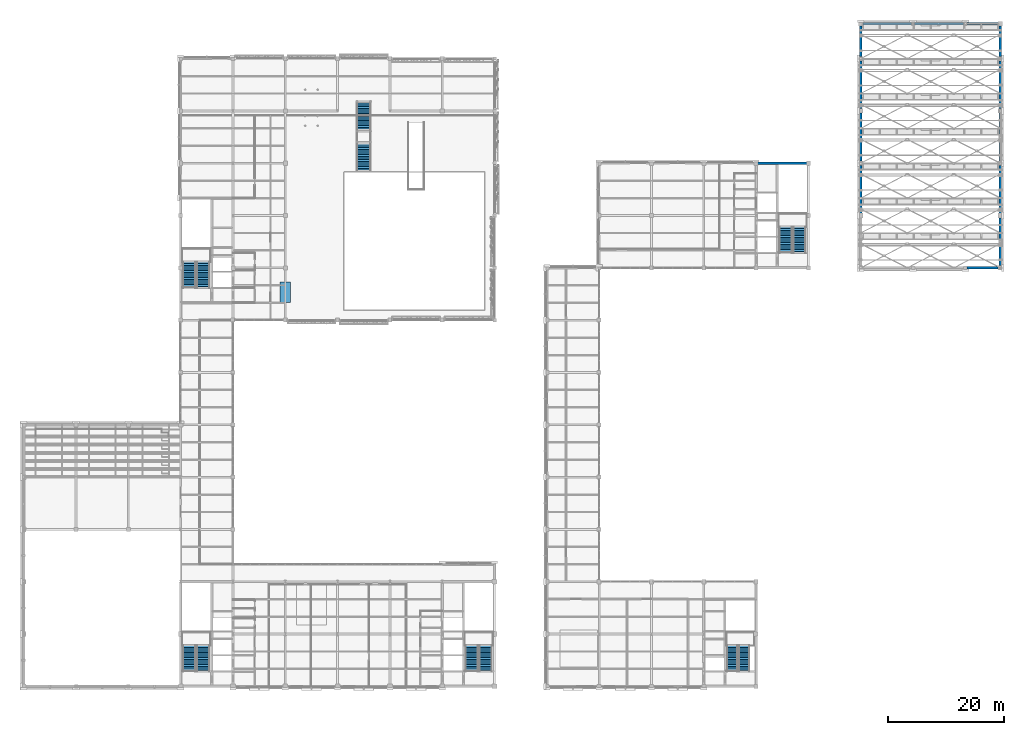
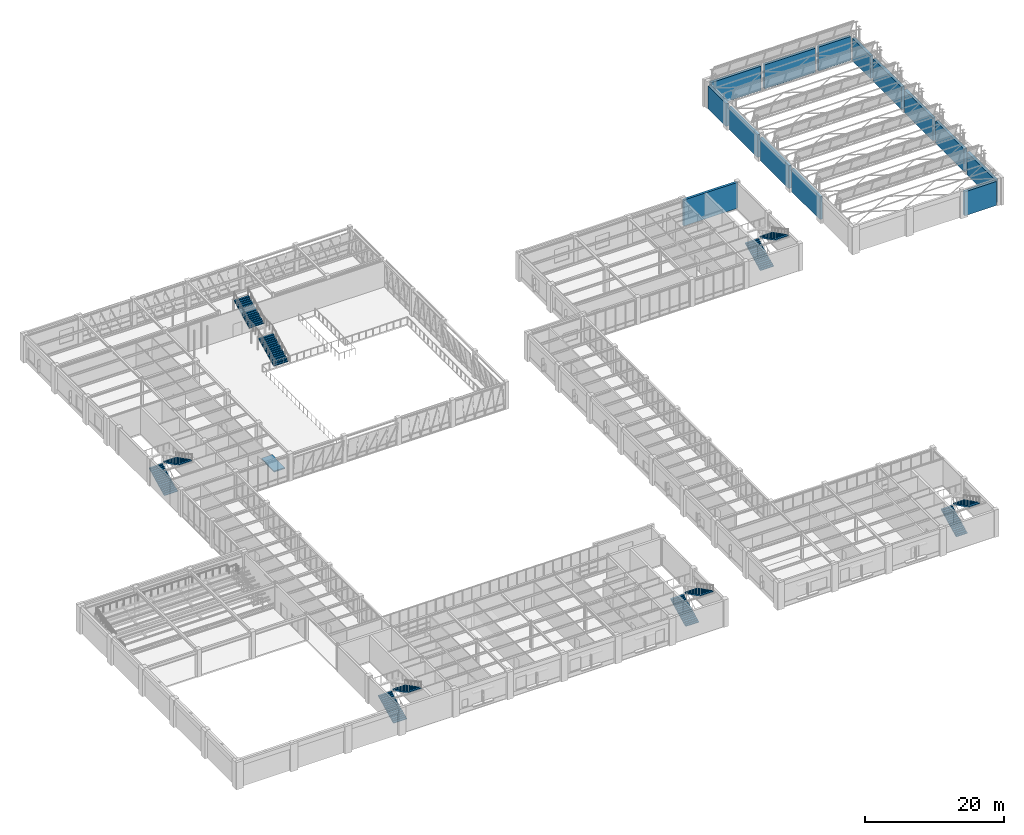
# One storey, part 86 of 98: 14 walls, 12 stair flights, 1 ramp flight, 7 elements without a shape of their own.
"""IFC4 building model written with IfcOpenShell, lengths in metres."""

from ifc_helpers import new_model, si_unit, direction, frame, frame_2d, origin, place, context, subcontext, project, spatial, polyline, rectangle, outline, extrude, material, layer, layer_set, type_object, element, aggregate, save


model = new_model("IFC4")

# Units and contexts
model_context = context("Model", 3, precision=1e-05, world=origin(), true_north=direction((0.0, 1.0)))
body_context = subcontext(model_context, "Body", "Model", "MODEL_VIEW")
ifc_project = project(units=[si_unit("LENGTHUNIT", "METRE"), si_unit("AREAUNIT", "SQUARE_METRE"), si_unit("VOLUMEUNIT", "CUBIC_METRE"), si_unit("PLANEANGLEUNIT", "RADIAN"), si_unit("MASSUNIT", "GRAM", prefix="KILO")], contexts=[model_context])

# Site, building, storey
site_placement = place(None, origin())
site = spatial("IfcSite", under=ifc_project, at=site_placement, CompositionType="ELEMENT")
building_placement = place(site_placement, origin())
building = spatial("IfcBuilding", under=site, at=building_placement, Name="Lykobir Media Centre", CompositionType="ELEMENT")
storey_placement = place(building_placement, frame((0.0, 0.0, 10.199951171875)))
storey = spatial("IfcBuildingStorey", under=building, at=storey_placement, Name="L02", CompositionType="ELEMENT", Elevation=10.199951171875)

# Walls
ifc_material_1 = material(Name="Concrete C35/45", Category="concrete")
ifc_layer_1 = layer(ifc_material_1, 0.4599609375, Name="Concrete C35/45")
ifc_layer_set_1 = layer_set([ifc_layer_1], Name="Concrete C35/45")
wall_type_1 = type_object("IfcWallType", Name="EW-ACO-460", PredefinedType="STANDARD", material=ifc_layer_set_1)
for number, where, z_axis, x_axis, name in (
    (1, (144.0, 89.614990234375, 0.0), (0.0, 0.0, 1.0), (0.0, -1.0, 0.0), "Exterior wall WALL-L02-0214"),
    (2, (144.0, 98.614990234375, 0.0), (0.0, 0.0, 1.0), (0.0, -1.0, 0.0), "Exterior wall WALL-L02-0215"),
    (3, (144.0, 107.614990234375, 0.0), (0.0, 0.0, 1.0), (0.0, -1.0, 0.0), "Exterior wall WALL-L02-0216"),
):
    element("IfcWall", number, at=place(storey_placement, frame(where, z_axis=z_axis, x_axis=x_axis)), inside=storey, type_object=wall_type_1, Name=name, PredefinedType="STANDARD", context=body_context, shape_type="SweptSolid", body=[
        extrude(rectangle(XDim=8.22998046875, YDim=0.4599609375, at=frame_2d((4.114990234375, 0.0))), origin(), (0.0, 0.0, 1.0), 3.985107421875),
    ])
wall_1_placement = place(storey_placement, frame((144.0, 113.614990234375, 0.0), z_axis=(0.0, 0.0, 1.0), x_axis=(0.0, -1.0, 0.0)))
element("IfcWall", 4, at=wall_1_placement, inside=storey, type_object=wall_type_1, Name="Exterior wall WALL-L02-0217", PredefinedType="STANDARD", context=body_context, shape_type="SweptSolid", body=[
    extrude(rectangle(XDim=5.22998046875, YDim=0.4599609375, at=frame_2d((2.614990234375, 0.0))), origin(), (0.0, 0.0, 1.0), 3.985107421875),
])
wall_2_placement = place(storey_placement, frame((162.284912109375, 72.0, 0.0), z_axis=(0.0, 0.0, 1.0), x_axis=(1.0, 0.0, 0.0)))
element("IfcWall", 5, at=wall_2_placement, inside=storey, type_object=wall_type_1, Name="Exterior wall WALL-L02-0220", PredefinedType="STANDARD", context=body_context, shape_type="SweptSolid", body=[
    extrude(rectangle(XDim=5.330078125, YDim=0.4599609375, at=frame_2d((2.6650390625, 0.0))), origin(), (0.0, 0.0, 1.0), 4.22509765625),
])
for number, where, z_axis, x_axis, name in (
    (6, (168.0, 72.385009765625, 0.0), (0.0, 0.0, 1.0), (0.0, 1.0, 0.0), "Exterior wall WALL-L02-0221"),
    (7, (168.0, 81.385009765625, 0.0), (0.0, 0.0, 1.0), (0.0, 1.0, 0.0), "Exterior wall WALL-L02-0222"),
    (8, (168.0, 90.385009765625, 0.0), (0.0, 0.0, 1.0), (0.0, 1.0, 0.0), "Exterior wall WALL-L02-0223"),
    (9, (168.0, 99.385009765625, 0.0), (0.0, 0.0, 1.0), (0.0, 1.0, 0.0), "Exterior wall WALL-L02-0224"),
):
    element("IfcWall", number, at=place(storey_placement, frame(where, z_axis=z_axis, x_axis=x_axis)), inside=storey, type_object=wall_type_1, Name=name, PredefinedType="STANDARD", context=body_context, shape_type="SweptSolid", body=[
        extrude(rectangle(XDim=8.22998046875, YDim=0.4599609375, at=frame_2d((4.114990234375, 0.0))), origin(), (0.0, 0.0, 1.0), 3.985107421875),
    ])
wall_3_placement = place(storey_placement, frame((168.0, 108.385009765625, 0.0), z_axis=(0.0, 0.0, 1.0), x_axis=(0.0, 1.0, 0.0)))
element("IfcWall", 10, at=wall_3_placement, inside=storey, type_object=wall_type_1, Name="Exterior wall WALL-L02-0225", PredefinedType="STANDARD", context=body_context, shape_type="SweptSolid", body=[
    extrude(rectangle(XDim=5.22998046875, YDim=0.4599609375, at=frame_2d((2.614990234375, 0.0))), origin(), (0.0, 0.0, 1.0), 3.985107421875),
])
wall_4_placement = place(storey_placement, frame((152.715087890625, 114.0, 0.0), z_axis=(0.0, 0.0, 1.0), x_axis=(-1.0, 0.0, 0.0)))
element("IfcWall", 11, at=wall_4_placement, inside=storey, type_object=wall_type_1, Name="Exterior wall WALL-L02-0226", PredefinedType="STANDARD", context=body_context, shape_type="SweptSolid", body=[
    extrude(rectangle(XDim=8.330078125, YDim=0.4599609375, at=frame_2d((4.1650390625, 0.0))), origin(), (0.0, 0.0, 1.0), 4.22509765625),
])
wall_5_placement = place(storey_placement, frame((161.715087890625, 114.0, 0.0), z_axis=(0.0, 0.0, 1.0), x_axis=(-1.0, 0.0, 0.0)))
element("IfcWall", 12, at=wall_5_placement, inside=storey, type_object=wall_type_1, Name="Exterior wall WALL-L02-0227", PredefinedType="STANDARD", context=body_context, shape_type="SweptSolid", body=[
    extrude(rectangle(XDim=8.43017578125, YDim=0.4599609375, at=frame_2d((4.215087890625, 0.0))), origin(), (0.0, 0.0, 1.0), 4.22509765625),
])
wall_6_placement = place(storey_placement, frame((167.614990234375, 114.0, 0.0), z_axis=(0.0, 0.0, 1.0), x_axis=(-1.0, 0.0, 0.0)))
element("IfcWall", 13, at=wall_6_placement, inside=storey, type_object=wall_type_1, Name="Exterior wall WALL-L02-0228", PredefinedType="STANDARD", context=body_context, shape_type="SweptSolid", body=[
    extrude(rectangle(XDim=5.330078125, YDim=0.4599609375, at=frame_2d((2.6650390625, 0.0))), origin(), (0.0, 0.0, 1.0), 4.22509765625),
])
ifc_material_2 = material(Name="Concrete C40/50", Category="concrete")
ifc_layer_2 = layer(ifc_material_2, 0.39990234375, Name="Concrete C40/50")
ifc_layer_set_2 = layer_set([ifc_layer_2], Name="Concrete C40/50")
wall_type_2 = type_object("IfcWallType", Name="SW-CORE-400-E", PredefinedType="SHEAR", material=ifc_layer_set_2)
wall_7_placement = place(storey_placement, frame((135.0, 90.0, 0.0), z_axis=(0.0, 0.0, 1.0), x_axis=(-1.0, 0.0, 0.0)))
element("IfcWall", 14, at=wall_7_placement, inside=storey, type_object=wall_type_2, Name="Wall IWALL-L02-0508", PredefinedType="SHEAR", context=body_context, shape_type="SweptSolid", body=[
    extrude(rectangle(XDim=9.0, YDim=0.39990234375, at=frame_2d((4.5, 0.0))), origin(), (0.0, 0.0, 1.0), 4.56005859375),
])

# Stair, stair flights
ifc_material_3 = material(Name="Concrete C30/37", Category="concrete")
stair_type_1 = type_object("IfcStairType", Name="ST-AUX-480", PredefinedType="HALF_TURN_STAIR", material=ifc_material_3)
stair_1_placement = place(storey_placement, origin())
stair_1 = element("IfcStair", 15, at=stair_1_placement, inside=storey, type_object=stair_type_1, Name="Escape stair ST-5 L02", PredefinedType="HALF_TURN_STAIR")
ifc_layer_3 = layer(ifc_material_3, 0.159912109375, Name="Concrete C30/37")
ifc_layer_set_3 = layer_set([ifc_layer_3], Name="Concrete C30/37")
stair_flight_type_1 = type_object("IfcStairFlightType", Name="FL-185-16", PredefinedType="STRAIGHT", material=ifc_layer_set_3)
stair_flight_1_placement = place(storey_placement, frame((121.89501953125, 2.530029296875, 0.0), z_axis=(0.0, 0.0, 1.0), x_axis=(0.0, 1.0, 0.0)))
stair_flight_1 = element("IfcStairFlight", 16, at=stair_flight_1_placement, type_object=stair_flight_type_1, Name="ST-5-L02 flight 1", NumberOfRisers=16, NumberOfTreads=15, PredefinedType="STRAIGHT", RiserHeight=0.15, TreadLength=0.3, context=body_context, shape_type="SweptSolid", body=[
    extrude(outline(polyline([(0.0, 0.0), (0.0, 0.14990234375), (0.300048828125, 0.14990234375), (0.300048828125, 0.300048828125), (0.60009765625, 0.300048828125), (0.60009765625, 0.449951171875), (0.89990234375, 0.449951171875), (0.89990234375, 0.60009765625), (1.199951171875, 0.60009765625), (1.199951171875, 0.75), (1.5, 0.75), (1.5, 0.89990234375), (1.800048828125, 0.89990234375), (1.800048828125, 1.050048828125), (2.10009765625, 1.050048828125), (2.10009765625, 1.199951171875), (2.39990234375, 1.199951171875), (2.39990234375, 1.35009765625), (2.699951171875, 1.35009765625), (2.699951171875, 1.5), (3.0, 1.5), (3.0, 1.64990234375), (3.300048828125, 1.64990234375), (3.300048828125, 1.800048828125), (3.60009765625, 1.800048828125), (3.60009765625, 1.949951171875), (3.89990234375, 1.949951171875), (3.89990234375, 2.10009765625), (4.199951171875, 2.10009765625), (4.199951171875, 2.25), (4.5, 2.25), (4.5, 2.39990234375), (4.5, 2.0712890625), (0.357666015625, 0.0), (0.0, 0.0)])), frame((0.0, 0.925048828125, 0.0), z_axis=(0.0, -1.0, 0.0), x_axis=(1.0, 0.0, 0.0)), (0.0, 0.0, 1.0), 1.85009765625),
])
stair_flight_2_placement = place(storey_placement, frame((123.945068359375, 7.030029296875, 2.400146484375), z_axis=(0.0, 0.0, 1.0), x_axis=(0.0, -1.0, 0.0)))
stair_flight_2 = element("IfcStairFlight", 17, at=stair_flight_2_placement, type_object=stair_flight_type_1, Name="ST-5-L02 flight 2", NumberOfRisers=16, NumberOfTreads=15, PredefinedType="STRAIGHT", RiserHeight=0.15, TreadLength=0.3, context=body_context, shape_type="SweptSolid", body=[
    extrude(outline(polyline([(0.0, 0.0), (0.0, 0.14990234375), (0.300048828125, 0.14990234375), (0.300048828125, 0.300048828125), (0.60009765625, 0.300048828125), (0.60009765625, 0.449951171875), (0.89990234375, 0.449951171875), (0.89990234375, 0.60009765625), (1.199951171875, 0.60009765625), (1.199951171875, 0.75), (1.5, 0.75), (1.5, 0.89990234375), (1.800048828125, 0.89990234375), (1.800048828125, 1.050048828125), (2.10009765625, 1.050048828125), (2.10009765625, 1.199951171875), (2.39990234375, 1.199951171875), (2.39990234375, 1.35009765625), (2.699951171875, 1.35009765625), (2.699951171875, 1.5), (3.0, 1.5), (3.0, 1.64990234375), (3.300048828125, 1.64990234375), (3.300048828125, 1.800048828125), (3.60009765625, 1.800048828125), (3.60009765625, 1.949951171875), (3.89990234375, 1.949951171875), (3.89990234375, 2.10009765625), (4.199951171875, 2.10009765625), (4.199951171875, 2.25), (4.5, 2.25), (4.5, 2.39990234375), (4.5, 2.0712890625), (0.357666015625, 0.0), (0.0, 0.0)])), frame((0.0, 0.925048828125, 0.0), z_axis=(0.0, -1.0, 0.0), x_axis=(1.0, 0.0, 0.0)), (0.0, 0.0, 1.0), 1.85009765625),
])
aggregate(stair_1, [stair_flight_1, stair_flight_2])

stair_type_2 = type_object("IfcStairType", Name="ST-HT-480", PredefinedType="HALF_TURN_STAIR", material=ifc_material_3)
stair_2_placement = place(storey_placement, origin())
stair_2 = element("IfcStair", 18, at=stair_2_placement, inside=storey, type_object=stair_type_2, Name="Escape stair ST-1 L02", PredefinedType="HALF_TURN_STAIR")
ifc_layer_4 = layer(ifc_material_3, 0.159912109375, Name="Concrete C30/37")
ifc_layer_set_4 = layer_set([ifc_layer_4], Name="Concrete C30/37")
stair_flight_type_2 = type_object("IfcStairFlightType", Name="FL-220-16", PredefinedType="STRAIGHT", material=ifc_layer_set_4)
stair_flight_3_placement = place(storey_placement, frame((28.469970703125, 2.530029296875, 0.0), z_axis=(0.0, 0.0, 1.0), x_axis=(0.0, 1.0, 0.0)))
stair_flight_3 = element("IfcStairFlight", 19, at=stair_flight_3_placement, type_object=stair_flight_type_2, Name="ST-1-L02 flight 1", NumberOfRisers=16, NumberOfTreads=15, PredefinedType="STRAIGHT", RiserHeight=0.15, TreadLength=0.3, context=body_context, shape_type="SweptSolid", body=[
    extrude(outline(polyline([(0.0, 0.0), (0.0, 0.14990234375), (0.300048828125, 0.14990234375), (0.300048828125, 0.300048828125), (0.60009765625, 0.300048828125), (0.60009765625, 0.449951171875), (0.89990234375, 0.449951171875), (0.89990234375, 0.60009765625), (1.199951171875, 0.60009765625), (1.199951171875, 0.75), (1.5, 0.75), (1.5, 0.89990234375), (1.800048828125, 0.89990234375), (1.800048828125, 1.050048828125), (2.10009765625, 1.050048828125), (2.10009765625, 1.199951171875), (2.39990234375, 1.199951171875), (2.39990234375, 1.35009765625), (2.699951171875, 1.35009765625), (2.699951171875, 1.5), (3.0, 1.5), (3.0, 1.64990234375), (3.300048828125, 1.64990234375), (3.300048828125, 1.800048828125), (3.60009765625, 1.800048828125), (3.60009765625, 1.949951171875), (3.89990234375, 1.949951171875), (3.89990234375, 2.10009765625), (4.199951171875, 2.10009765625), (4.199951171875, 2.25), (4.5, 2.25), (4.5, 2.39990234375), (4.5, 2.0712890625), (0.357666015625, 0.0), (0.0, 0.0)])), frame((0.0, 1.10009765625, 0.0), z_axis=(0.0, -1.0, 0.0), x_axis=(1.0, 0.0, 0.0)), (0.0, 0.0, 1.0), 2.199951171875),
])
stair_flight_4_placement = place(storey_placement, frame((30.8701171875, 7.030029296875, 2.400146484375), z_axis=(0.0, 0.0, 1.0), x_axis=(0.0, -1.0, 0.0)))
stair_flight_4 = element("IfcStairFlight", 20, at=stair_flight_4_placement, type_object=stair_flight_type_2, Name="ST-1-L02 flight 2", NumberOfRisers=16, NumberOfTreads=15, PredefinedType="STRAIGHT", RiserHeight=0.15, TreadLength=0.3, context=body_context, shape_type="SweptSolid", body=[
    extrude(outline(polyline([(0.0, 0.0), (0.0, 0.14990234375), (0.300048828125, 0.14990234375), (0.300048828125, 0.300048828125), (0.60009765625, 0.300048828125), (0.60009765625, 0.449951171875), (0.89990234375, 0.449951171875), (0.89990234375, 0.60009765625), (1.199951171875, 0.60009765625), (1.199951171875, 0.75), (1.5, 0.75), (1.5, 0.89990234375), (1.800048828125, 0.89990234375), (1.800048828125, 1.050048828125), (2.10009765625, 1.050048828125), (2.10009765625, 1.199951171875), (2.39990234375, 1.199951171875), (2.39990234375, 1.35009765625), (2.699951171875, 1.35009765625), (2.699951171875, 1.5), (3.0, 1.5), (3.0, 1.64990234375), (3.300048828125, 1.64990234375), (3.300048828125, 1.800048828125), (3.60009765625, 1.800048828125), (3.60009765625, 1.949951171875), (3.89990234375, 1.949951171875), (3.89990234375, 2.10009765625), (4.199951171875, 2.10009765625), (4.199951171875, 2.25), (4.5, 2.25), (4.5, 2.39990234375), (4.5, 2.0712890625), (0.357666015625, 0.0), (0.0, 0.0)])), frame((0.0, 1.10009765625, 0.0), z_axis=(0.0, -1.0, 0.0), x_axis=(1.0, 0.0, 0.0)), (0.0, 0.0, 1.0), 2.199951171875),
])
aggregate(stair_2, [stair_flight_3, stair_flight_4])

stair_3_placement = place(storey_placement, origin())
stair_3 = element("IfcStair", 21, at=stair_3_placement, inside=storey, type_object=stair_type_2, Name="Escape stair ST-2 L02", PredefinedType="HALF_TURN_STAIR")
stair_flight_5_placement = place(storey_placement, frame((77.070068359375, 2.530029296875, 0.0), z_axis=(0.0, 0.0, 1.0), x_axis=(0.0, 1.0, 0.0)))
stair_flight_5 = element("IfcStairFlight", 22, at=stair_flight_5_placement, type_object=stair_flight_type_2, Name="ST-2-L02 flight 1", NumberOfRisers=16, NumberOfTreads=15, PredefinedType="STRAIGHT", RiserHeight=0.15, TreadLength=0.3, context=body_context, shape_type="SweptSolid", body=[
    extrude(outline(polyline([(0.0, 0.0), (0.0, 0.14990234375), (0.300048828125, 0.14990234375), (0.300048828125, 0.300048828125), (0.60009765625, 0.300048828125), (0.60009765625, 0.449951171875), (0.89990234375, 0.449951171875), (0.89990234375, 0.60009765625), (1.199951171875, 0.60009765625), (1.199951171875, 0.75), (1.5, 0.75), (1.5, 0.89990234375), (1.800048828125, 0.89990234375), (1.800048828125, 1.050048828125), (2.10009765625, 1.050048828125), (2.10009765625, 1.199951171875), (2.39990234375, 1.199951171875), (2.39990234375, 1.35009765625), (2.699951171875, 1.35009765625), (2.699951171875, 1.5), (3.0, 1.5), (3.0, 1.64990234375), (3.300048828125, 1.64990234375), (3.300048828125, 1.800048828125), (3.60009765625, 1.800048828125), (3.60009765625, 1.949951171875), (3.89990234375, 1.949951171875), (3.89990234375, 2.10009765625), (4.199951171875, 2.10009765625), (4.199951171875, 2.25), (4.5, 2.25), (4.5, 2.39990234375), (4.5, 2.0712890625), (0.357666015625, 0.0), (0.0, 0.0)])), frame((0.0, 1.10009765625, 0.0), z_axis=(0.0, -1.0, 0.0), x_axis=(1.0, 0.0, 0.0)), (0.0, 0.0, 1.0), 2.199951171875),
])
stair_flight_6_placement = place(storey_placement, frame((79.469970703125, 7.030029296875, 2.400146484375), z_axis=(0.0, 0.0, 1.0), x_axis=(0.0, -1.0, 0.0)))
stair_flight_6 = element("IfcStairFlight", 23, at=stair_flight_6_placement, type_object=stair_flight_type_2, Name="ST-2-L02 flight 2", NumberOfRisers=16, NumberOfTreads=15, PredefinedType="STRAIGHT", RiserHeight=0.15, TreadLength=0.3, context=body_context, shape_type="SweptSolid", body=[
    extrude(outline(polyline([(0.0, 0.0), (0.0, 0.14990234375), (0.300048828125, 0.14990234375), (0.300048828125, 0.300048828125), (0.60009765625, 0.300048828125), (0.60009765625, 0.449951171875), (0.89990234375, 0.449951171875), (0.89990234375, 0.60009765625), (1.199951171875, 0.60009765625), (1.199951171875, 0.75), (1.5, 0.75), (1.5, 0.89990234375), (1.800048828125, 0.89990234375), (1.800048828125, 1.050048828125), (2.10009765625, 1.050048828125), (2.10009765625, 1.199951171875), (2.39990234375, 1.199951171875), (2.39990234375, 1.35009765625), (2.699951171875, 1.35009765625), (2.699951171875, 1.5), (3.0, 1.5), (3.0, 1.64990234375), (3.300048828125, 1.64990234375), (3.300048828125, 1.800048828125), (3.60009765625, 1.800048828125), (3.60009765625, 1.949951171875), (3.89990234375, 1.949951171875), (3.89990234375, 2.10009765625), (4.199951171875, 2.10009765625), (4.199951171875, 2.25), (4.5, 2.25), (4.5, 2.39990234375), (4.5, 2.0712890625), (0.357666015625, 0.0), (0.0, 0.0)])), frame((0.0, 1.10009765625, 0.0), z_axis=(0.0, -1.0, 0.0), x_axis=(1.0, 0.0, 0.0)), (0.0, 0.0, 1.0), 2.199951171875),
])
aggregate(stair_3, [stair_flight_5, stair_flight_6])

stair_4_placement = place(storey_placement, origin())
stair_4 = element("IfcStair", 24, at=stair_4_placement, inside=storey, type_object=stair_type_2, Name="Escape stair ST-3 L02", PredefinedType="HALF_TURN_STAIR")
stair_flight_7_placement = place(storey_placement, frame((28.469970703125, 68.530029296875, 0.0), z_axis=(0.0, 0.0, 1.0), x_axis=(0.0, 1.0, 0.0)))
stair_flight_7 = element("IfcStairFlight", 25, at=stair_flight_7_placement, type_object=stair_flight_type_2, Name="ST-3-L02 flight 1", NumberOfRisers=16, NumberOfTreads=15, PredefinedType="STRAIGHT", RiserHeight=0.15, TreadLength=0.3, context=body_context, shape_type="SweptSolid", body=[
    extrude(outline(polyline([(0.0, 0.0), (0.0, 0.14990234375), (0.300048828125, 0.14990234375), (0.300048828125, 0.300048828125), (0.60009765625, 0.300048828125), (0.60009765625, 0.449951171875), (0.89990234375, 0.449951171875), (0.89990234375, 0.60009765625), (1.199951171875, 0.60009765625), (1.199951171875, 0.75), (1.5, 0.75), (1.5, 0.89990234375), (1.800048828125, 0.89990234375), (1.800048828125, 1.050048828125), (2.10009765625, 1.050048828125), (2.10009765625, 1.199951171875), (2.39990234375, 1.199951171875), (2.39990234375, 1.35009765625), (2.699951171875, 1.35009765625), (2.699951171875, 1.5), (3.0, 1.5), (3.0, 1.64990234375), (3.300048828125, 1.64990234375), (3.300048828125, 1.800048828125), (3.60009765625, 1.800048828125), (3.60009765625, 1.949951171875), (3.89990234375, 1.949951171875), (3.89990234375, 2.10009765625), (4.199951171875, 2.10009765625), (4.199951171875, 2.25), (4.5, 2.25), (4.5, 2.39990234375), (4.5, 2.0712890625), (0.357666015625, 0.0), (0.0, 0.0)])), frame((0.0, 1.10009765625, 0.0), z_axis=(0.0, -1.0, 0.0), x_axis=(1.0, 0.0, 0.0)), (0.0, 0.0, 1.0), 2.199951171875),
])
stair_flight_8_placement = place(storey_placement, frame((30.8701171875, 73.030029296875, 2.400146484375), z_axis=(0.0, 0.0, 1.0), x_axis=(0.0, -1.0, 0.0)))
stair_flight_8 = element("IfcStairFlight", 26, at=stair_flight_8_placement, type_object=stair_flight_type_2, Name="ST-3-L02 flight 2", NumberOfRisers=16, NumberOfTreads=15, PredefinedType="STRAIGHT", RiserHeight=0.15, TreadLength=0.3, context=body_context, shape_type="SweptSolid", body=[
    extrude(outline(polyline([(0.0, 0.0), (0.0, 0.14990234375), (0.300048828125, 0.14990234375), (0.300048828125, 0.300048828125), (0.60009765625, 0.300048828125), (0.60009765625, 0.449951171875), (0.89990234375, 0.449951171875), (0.89990234375, 0.60009765625), (1.199951171875, 0.60009765625), (1.199951171875, 0.75), (1.5, 0.75), (1.5, 0.89990234375), (1.800048828125, 0.89990234375), (1.800048828125, 1.050048828125), (2.10009765625, 1.050048828125), (2.10009765625, 1.199951171875), (2.39990234375, 1.199951171875), (2.39990234375, 1.35009765625), (2.699951171875, 1.35009765625), (2.699951171875, 1.5), (3.0, 1.5), (3.0, 1.64990234375), (3.300048828125, 1.64990234375), (3.300048828125, 1.800048828125), (3.60009765625, 1.800048828125), (3.60009765625, 1.949951171875), (3.89990234375, 1.949951171875), (3.89990234375, 2.10009765625), (4.199951171875, 2.10009765625), (4.199951171875, 2.25), (4.5, 2.25), (4.5, 2.39990234375), (4.5, 2.0712890625), (0.357666015625, 0.0), (0.0, 0.0)])), frame((0.0, 1.10009765625, 0.0), z_axis=(0.0, -1.0, 0.0), x_axis=(1.0, 0.0, 0.0)), (0.0, 0.0, 1.0), 2.199951171875),
])
aggregate(stair_4, [stair_flight_7, stair_flight_8])

stair_5_placement = place(storey_placement, origin())
stair_5 = element("IfcStair", 27, at=stair_5_placement, inside=storey, type_object=stair_type_2, Name="Escape stair ST-4 L02", PredefinedType="HALF_TURN_STAIR")
stair_flight_9_placement = place(storey_placement, frame((131.070068359375, 74.530029296875, 0.0), z_axis=(0.0, 0.0, 1.0), x_axis=(0.0, 1.0, 0.0)))
stair_flight_9 = element("IfcStairFlight", 28, at=stair_flight_9_placement, type_object=stair_flight_type_2, Name="ST-4-L02 flight 1", NumberOfRisers=16, NumberOfTreads=15, PredefinedType="STRAIGHT", RiserHeight=0.15, TreadLength=0.3, context=body_context, shape_type="SweptSolid", body=[
    extrude(outline(polyline([(0.0, 0.0), (0.0, 0.14990234375), (0.300048828125, 0.14990234375), (0.300048828125, 0.300048828125), (0.60009765625, 0.300048828125), (0.60009765625, 0.449951171875), (0.89990234375, 0.449951171875), (0.89990234375, 0.60009765625), (1.199951171875, 0.60009765625), (1.199951171875, 0.75), (1.5, 0.75), (1.5, 0.89990234375), (1.800048828125, 0.89990234375), (1.800048828125, 1.050048828125), (2.10009765625, 1.050048828125), (2.10009765625, 1.199951171875), (2.39990234375, 1.199951171875), (2.39990234375, 1.35009765625), (2.699951171875, 1.35009765625), (2.699951171875, 1.5), (3.0, 1.5), (3.0, 1.64990234375), (3.300048828125, 1.64990234375), (3.300048828125, 1.800048828125), (3.60009765625, 1.800048828125), (3.60009765625, 1.949951171875), (3.89990234375, 1.949951171875), (3.89990234375, 2.10009765625), (4.199951171875, 2.10009765625), (4.199951171875, 2.25), (4.5, 2.25), (4.5, 2.39990234375), (4.5, 2.0712890625), (0.357666015625, 0.0), (0.0, 0.0)])), frame((0.0, 1.10009765625, 0.0), z_axis=(0.0, -1.0, 0.0), x_axis=(1.0, 0.0, 0.0)), (0.0, 0.0, 1.0), 2.199951171875),
])
stair_flight_10_placement = place(storey_placement, frame((133.469970703125, 79.030029296875, 2.400146484375), z_axis=(0.0, 0.0, 1.0), x_axis=(0.0, -1.0, 0.0)))
stair_flight_10 = element("IfcStairFlight", 29, at=stair_flight_10_placement, type_object=stair_flight_type_2, Name="ST-4-L02 flight 2", NumberOfRisers=16, NumberOfTreads=15, PredefinedType="STRAIGHT", RiserHeight=0.15, TreadLength=0.3, context=body_context, shape_type="SweptSolid", body=[
    extrude(outline(polyline([(0.0, 0.0), (0.0, 0.14990234375), (0.300048828125, 0.14990234375), (0.300048828125, 0.300048828125), (0.60009765625, 0.300048828125), (0.60009765625, 0.449951171875), (0.89990234375, 0.449951171875), (0.89990234375, 0.60009765625), (1.199951171875, 0.60009765625), (1.199951171875, 0.75), (1.5, 0.75), (1.5, 0.89990234375), (1.800048828125, 0.89990234375), (1.800048828125, 1.050048828125), (2.10009765625, 1.050048828125), (2.10009765625, 1.199951171875), (2.39990234375, 1.199951171875), (2.39990234375, 1.35009765625), (2.699951171875, 1.35009765625), (2.699951171875, 1.5), (3.0, 1.5), (3.0, 1.64990234375), (3.300048828125, 1.64990234375), (3.300048828125, 1.800048828125), (3.60009765625, 1.800048828125), (3.60009765625, 1.949951171875), (3.89990234375, 1.949951171875), (3.89990234375, 2.10009765625), (4.199951171875, 2.10009765625), (4.199951171875, 2.25), (4.5, 2.25), (4.5, 2.39990234375), (4.5, 2.0712890625), (0.357666015625, 0.0), (0.0, 0.0)])), frame((0.0, 1.10009765625, 0.0), z_axis=(0.0, -1.0, 0.0), x_axis=(1.0, 0.0, 0.0)), (0.0, 0.0, 1.0), 2.199951171875),
])
aggregate(stair_5, [stair_flight_9, stair_flight_10])

stair_type_3 = type_object("IfcStairType", Name="ST-VAL-3", PredefinedType="STRAIGHT_RUN_STAIR", material=ifc_material_3)
stair_6_placement = place(storey_placement, origin())
stair_6 = element("IfcStair", 30, at=stair_6_placement, inside=storey, type_object=stair_type_3, Name="Valley terrace feature stair 3", PredefinedType="STRAIGHT_RUN_STAIR")
ifc_layer_5 = layer(ifc_material_3, 0.179931640625, Name="Concrete C30/37")
ifc_layer_set_5 = layer_set([ifc_layer_5], Name="Concrete C30/37")
stair_flight_type_3 = type_object("IfcStairFlightType", Name="FL-VAL-240", PredefinedType="STRAIGHT", material=ifc_layer_set_5)
stair_flight_11_placement = place(storey_placement, frame((58.5, 88.800048828125, 0.0), z_axis=(0.0, 0.0, 1.0), x_axis=(0.0, 1.0, 0.0)))
stair_flight_11 = element("IfcStairFlight", 31, at=stair_flight_11_placement, type_object=stair_flight_type_3, Name="ST-VAL-3 flight 1", NumberOfRisers=16, NumberOfTreads=15, PredefinedType="STRAIGHT", RiserHeight=0.15, TreadLength=0.3, context=body_context, shape_type="SweptSolid", body=[
    extrude(outline(polyline([(0.0, 0.0), (0.0, 0.14990234375), (0.300048828125, 0.14990234375), (0.300048828125, 0.300048828125), (0.60009765625, 0.300048828125), (0.60009765625, 0.449951171875), (0.89990234375, 0.449951171875), (0.89990234375, 0.60009765625), (1.199951171875, 0.60009765625), (1.199951171875, 0.75), (1.5, 0.75), (1.5, 0.89990234375), (1.800048828125, 0.89990234375), (1.800048828125, 1.050048828125), (2.10009765625, 1.050048828125), (2.10009765625, 1.199951171875), (2.39990234375, 1.199951171875), (2.39990234375, 1.35009765625), (2.699951171875, 1.35009765625), (2.699951171875, 1.5), (3.0, 1.5), (3.0, 1.64990234375), (3.300048828125, 1.64990234375), (3.300048828125, 1.800048828125), (3.60009765625, 1.800048828125), (3.60009765625, 1.949951171875), (3.89990234375, 1.949951171875), (3.89990234375, 2.10009765625), (4.199951171875, 2.10009765625), (4.199951171875, 2.25), (4.5, 2.25), (4.5, 2.39990234375), (4.5, 2.048828125), (0.40234375, 0.0), (0.0, 0.0)])), frame((0.0, 1.199951171875, 0.0), z_axis=(0.0, -1.0, 0.0), x_axis=(1.0, 0.0, 0.0)), (0.0, 0.0, 1.0), 2.39990234375),
])
stair_flight_12_placement = place(storey_placement, frame((58.5, 95.85009765625, 2.400146484375), z_axis=(0.0, 0.0, 1.0), x_axis=(0.0, 1.0, 0.0)))
stair_flight_12 = element("IfcStairFlight", 32, at=stair_flight_12_placement, type_object=stair_flight_type_3, Name="ST-VAL-3 flight 2", NumberOfRisers=16, NumberOfTreads=15, PredefinedType="STRAIGHT", RiserHeight=0.15, TreadLength=0.3, context=body_context, shape_type="SweptSolid", body=[
    extrude(outline(polyline([(0.0, 0.0), (0.0, 0.14990234375), (0.300048828125, 0.14990234375), (0.300048828125, 0.300048828125), (0.60009765625, 0.300048828125), (0.60009765625, 0.449951171875), (0.89990234375, 0.449951171875), (0.89990234375, 0.60009765625), (1.199951171875, 0.60009765625), (1.199951171875, 0.75), (1.5, 0.75), (1.5, 0.89990234375), (1.800048828125, 0.89990234375), (1.800048828125, 1.050048828125), (2.10009765625, 1.050048828125), (2.10009765625, 1.199951171875), (2.39990234375, 1.199951171875), (2.39990234375, 1.35009765625), (2.699951171875, 1.35009765625), (2.699951171875, 1.5), (3.0, 1.5), (3.0, 1.64990234375), (3.300048828125, 1.64990234375), (3.300048828125, 1.800048828125), (3.60009765625, 1.800048828125), (3.60009765625, 1.949951171875), (3.89990234375, 1.949951171875), (3.89990234375, 2.10009765625), (4.199951171875, 2.10009765625), (4.199951171875, 2.25), (4.5, 2.25), (4.5, 2.39990234375), (4.5, 2.048828125), (0.40234375, 0.0), (0.0, 0.0)])), frame((0.0, 1.199951171875, 0.0), z_axis=(0.0, -1.0, 0.0), x_axis=(1.0, 0.0, 0.0)), (0.0, 0.0, 1.0), 2.39990234375),
])
aggregate(stair_6, [stair_flight_11, stair_flight_12])

# Ramp, ramp flight
ramp_type = type_object("IfcRampType", Name="RMP-ACC", PredefinedType="STRAIGHT_RUN_RAMP", material=ifc_material_3)
ramp_placement = place(storey_placement, origin())
ramp = element("IfcRamp", 33, at=ramp_placement, inside=storey, type_object=ramp_type, Name="Accessible concourse ramp 4", PredefinedType="STRAIGHT_RUN_RAMP")
ifc_layer_6 = layer(ifc_material_3, 0.199951171875, Name="Concrete C30/37")
ifc_layer_set_6 = layer_set([ifc_layer_6], Name="Concrete C30/37")
ramp_flight_type = type_object("IfcRampFlightType", Name="RFL-ACC-200", PredefinedType="STRAIGHT", material=ifc_layer_set_6)
ramp_flight_placement = place(storey_placement, frame((45.0, 66.0, 0.0), z_axis=(0.0, 0.0, 1.0), x_axis=(0.0, 1.0, 0.0)))
ramp_flight = element("IfcRampFlight", 34, at=ramp_flight_placement, type_object=ramp_flight_type, Name="Accessible concourse ramp flight 4", PredefinedType="STRAIGHT", context=body_context, shape_type="SweptSolid", body=[
    extrude(outline(polyline([(0.0, 0.0), (3.60009765625, 0.1201171875), (3.60009765625, -0.079833984375), (0.0, -0.199951171875), (0.0, 0.0)])), frame((0.0, 0.89990234375, 0.0), z_axis=(0.0, -1.0, 0.0), x_axis=(1.0, 0.0, 0.0)), (0.0, 0.0, 1.0), 1.800048828125),
])
aggregate(ramp, [ramp_flight])

save(model, "model.ifc")
